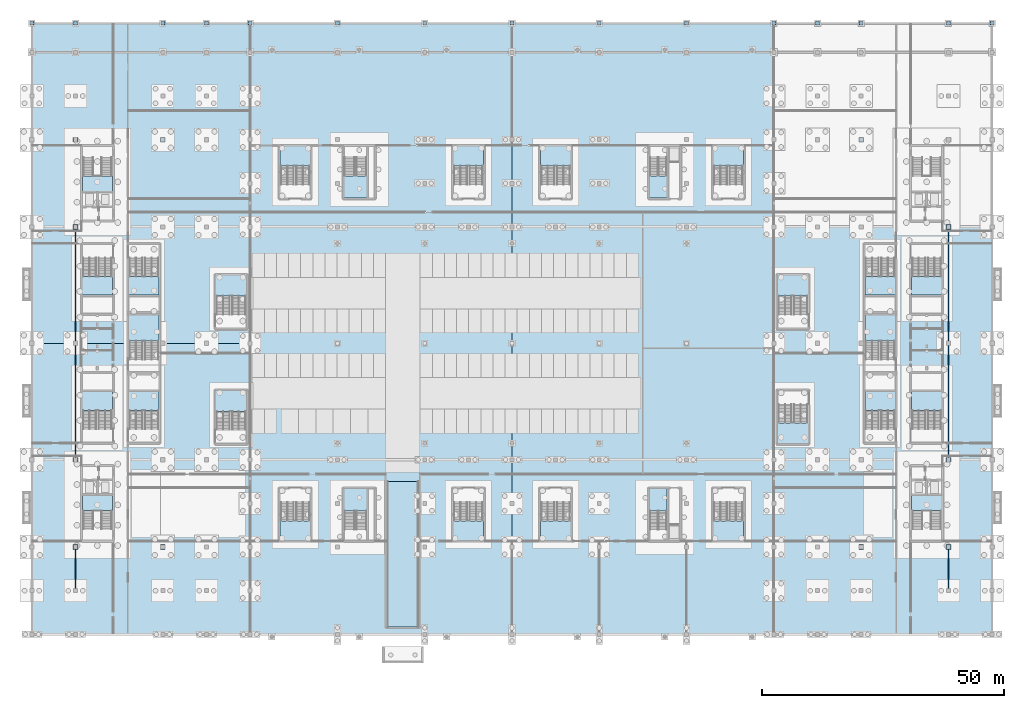
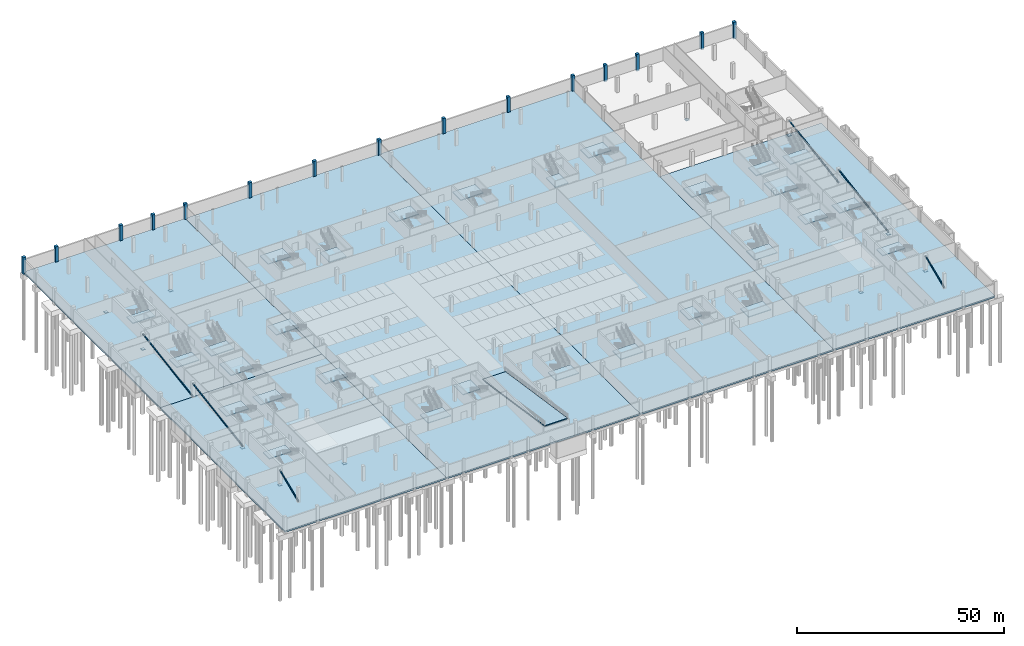
# One storey, part 12 of 46: 35 slabs, 15 columns, 11 plates, 6 members, 29 elements without a shape of their own.
"""IFC4 building model written with IfcOpenShell, lengths in metres."""

from ifc_helpers import new_model, si_unit, direction, frame, origin, origin_2d, place, context, subcontext, project, spatial, polyline, rectangle, hollow_rectangle, outline, extrude, material, layer, layer_set, material_profile, profile_set, type_object, element, aggregate, save


model = new_model("IFC4")

# Units and contexts
model_context = context("Model", 3, precision=1e-05, world=origin(), true_north=direction((0.0, 1.0)))
body_context = subcontext(model_context, "Body", "Model", "MODEL_VIEW")
ifc_project = project(units=[si_unit("LENGTHUNIT", "METRE"), si_unit("AREAUNIT", "SQUARE_METRE"), si_unit("VOLUMEUNIT", "CUBIC_METRE"), si_unit("PLANEANGLEUNIT", "RADIAN"), si_unit("MASSUNIT", "GRAM", prefix="KILO")], contexts=[model_context])

# Site, building, storey
site_placement = place(None, origin())
site = spatial("IfcSite", under=ifc_project, at=site_placement, CompositionType="ELEMENT")
building_placement = place(site_placement, origin())
building = spatial("IfcBuilding", under=site, at=building_placement, Name="Kisiwana Market Hall", CompositionType="ELEMENT")
storey_placement = place(building_placement, frame((0.0, 0.0, -4.5)))
storey = spatial("IfcBuildingStorey", under=building, at=storey_placement, Name="B1", CompositionType="ELEMENT", Elevation=-4.5)

# Columns
ifc_material_1 = material(Name="Concrete C40/50", Category="concrete")
ifc_material_profile_1 = material_profile(ifc_material_1, rectangle(XDim=0.800048828125, YDim=0.800048828125, at=origin_2d()), Name="RC 800x800")
ifc_profile_set_1 = profile_set([ifc_material_profile_1], Name="Concrete C40/50")
column_type = type_object("IfcColumnType", Name="COL-RC-B1-800", PredefinedType="COLUMN", material=ifc_profile_set_1)
for number, where, z_axis, x_axis, name in (
    (1, (0.0, 126.0, -0.449951171875), (0.0, 0.0, 1.0), (1.0, 0.0, 0.0), "Column R/1 (B1) C-0010"),
    (2, (9.0, 126.0, -0.449951171875), (0.0, 0.0, 1.0), (1.0, 0.0, 0.0), "Column R/2 (B1) C-0019"),
    (3, (27.0, 126.0, -0.449951171875), (0.0, 0.0, 1.0), (1.0, 0.0, 0.0), "Column R/4 (B1) C-0029"),
    (4, (36.0, 126.0, -0.449951171875), (0.0, 0.0, 1.0), (1.0, 0.0, 0.0), "Column R/5 (B1) C-0038"),
    (5, (45.0, 126.0, -0.449951171875), (0.0, 0.0, 1.0), (1.0, 0.0, 0.0), "Column R/6 (B1) C-0050"),
    (6, (63.0, 126.0, -0.449951171875), (0.0, 0.0, 1.0), (1.0, 0.0, 0.0), "Column R/8 (B1) C-0060"),
    (7, (81.0, 126.0, -0.449951171875), (0.0, 0.0, 1.0), (1.0, 0.0, 0.0), "Column R/10 (B1) C-0070"),
    (8, (99.0, 126.0, -0.449951171875), (0.0, 0.0, 1.0), (1.0, 0.0, 0.0), "Column R/12 (B1) C-0082"),
    (9, (117.0, 126.0, -0.449951171875), (0.0, 0.0, 1.0), (1.0, 0.0, 0.0), "Column R/14 (B1) C-0094"),
    (10, (135.0, 126.0, -0.449951171875), (0.0, 0.0, 1.0), (1.0, 0.0, 0.0), "Column R/16 (B1) C-0104"),
    (11, (153.0, 126.0, -0.449951171875), (0.0, 0.0, 1.0), (1.0, 0.0, 0.0), "Column R/18 (B1) C-0116"),
    (12, (162.0, 126.0, -0.449951171875), (0.0, 0.0, 1.0), (1.0, 0.0, 0.0), "Column R/19 (B1) C-0125"),
    (13, (171.0, 126.0, -0.449951171875), (0.0, 0.0, 1.0), (1.0, 0.0, 0.0), "Column R/20 (B1) C-0135"),
    (14, (189.0, 126.0, -0.449951171875), (0.0, 0.0, 1.0), (1.0, 0.0, 0.0), "Column R/22 (B1) C-0144"),
    (15, (198.0, 126.0, -0.449951171875), (0.0, 0.0, 1.0), (1.0, 0.0, 0.0), "Column R/23 (B1) C-0154"),
):
    element("IfcColumn", number, at=place(storey_placement, frame(where, z_axis=z_axis, x_axis=x_axis)), inside=storey, type_object=column_type, Name=name, PredefinedType="COLUMN", context=body_context, shape_type="SweptSolid", body=[
        extrude(rectangle(XDim=0.800048828125, YDim=0.800048828125, at=origin_2d()), origin(), (0.0, 0.0, 1.0), 4.949951171875),
    ])

# Members
ifc_material_2 = material(Name="Steel S355", Category="steel")
ifc_material_profile_2 = material_profile(ifc_material_2, hollow_rectangle(XDim=0.25, YDim=0.25, WallThickness=0.012451171875, at=origin_2d()), Name="SHS 250x250x12.5")
ifc_profile_set_2 = profile_set([ifc_material_profile_2], Name="Steel S355")
member_type = type_object("IfcMemberType", Name="MB-CBF-SHS250", PredefinedType="BRACE", material=ifc_profile_set_2)
member_1_placement = place(storey_placement, frame((9.0, 60.0, 0.14990234375), z_axis=(0.0, 0.987759380373, 0.155985276499), x_axis=(-1.0, 0.0, 0.0)))
element("IfcMember", 16, at=member_1_placement, inside=storey, type_object=member_type, Name="CBF-W-S diagonal brace (B1) M-0001", PredefinedType="BRACE", context=body_context, shape_type="SweptSolid", body=[
    extrude(hollow_rectangle(XDim=0.25, YDim=0.25, WallThickness=0.012451171875, at=origin_2d()), origin(), (0.0, 0.0, 1.0), 24.29736328125),
])
member_2_placement = place(storey_placement, frame((9.0, 9.0, 0.14990234375), z_axis=(0.0, 0.921614667614, 0.388106176759), x_axis=(-1.0, 0.0, 0.0)))
element("IfcMember", 17, at=member_2_placement, inside=storey, type_object=member_type, Name="CBF-W-N diagonal brace (B1) M-0002", PredefinedType="BRACE", context=body_context, shape_type="SweptSolid", body=[
    extrude(hollow_rectangle(XDim=0.25, YDim=0.25, WallThickness=0.012451171875, at=origin_2d()), origin(), (0.0, 0.0, 1.0), 9.765380859375),
])
member_3_placement = place(storey_placement, frame((189.0, 60.0, 0.14990234375), z_axis=(0.0, 0.987759380373, 0.155985276499), x_axis=(-1.0, 0.0, 0.0)))
element("IfcMember", 18, at=member_3_placement, inside=storey, type_object=member_type, Name="CBF-E-S diagonal brace (B1) M-0003", PredefinedType="BRACE", context=body_context, shape_type="SweptSolid", body=[
    extrude(hollow_rectangle(XDim=0.25, YDim=0.25, WallThickness=0.012451171875, at=origin_2d()), origin(), (0.0, 0.0, 1.0), 24.29736328125),
])
member_4_placement = place(storey_placement, frame((189.0, 9.0, 0.14990234375), z_axis=(0.0, 0.921614667614, 0.388106176759), x_axis=(-1.0, 0.0, 0.0)))
element("IfcMember", 19, at=member_4_placement, inside=storey, type_object=member_type, Name="CBF-E-N diagonal brace (B1) M-0004", PredefinedType="BRACE", context=body_context, shape_type="SweptSolid", body=[
    extrude(hollow_rectangle(XDim=0.25, YDim=0.25, WallThickness=0.012451171875, at=origin_2d()), origin(), (0.0, 0.0, 1.0), 9.765380859375),
])
for number, where, z_axis, x_axis, name in (
    (20, (9.0, 36.0, 0.14990234375), (0.0, 0.987759380373, 0.155985276499), (-1.0, 0.0, 0.0), "CBF-POD-W diagonal brace (B1) M-0005"),
    (21, (189.0, 36.0, 0.14990234375), (0.0, 0.987759380373, 0.155985276499), (-1.0, 0.0, 0.0), "CBF-POD-E diagonal brace (B1) M-0006"),
):
    element("IfcMember", number, at=place(storey_placement, frame(where, z_axis=z_axis, x_axis=x_axis)), inside=storey, type_object=member_type, Name=name, PredefinedType="BRACE", context=body_context, shape_type="SweptSolid", body=[
        extrude(hollow_rectangle(XDim=0.25, YDim=0.25, WallThickness=0.012451171875, at=origin_2d()), origin(), (0.0, 0.0, 1.0), 24.29736328125),
    ])

# Plates
ifc_material_3 = material(Name="Steel S355", Category="steel")
ifc_layer_1 = layer(ifc_material_3, 0.050048828125)
ifc_layer_set_1 = layer_set([ifc_layer_1], Name="PL-STR-BASE-50")
plate_type = type_object("IfcPlateType", Name="PL-STR-BASE-50", PredefinedType="SHEET", material=ifc_layer_set_1)
for number, where, z_axis, x_axis, name in (
    (22, (9.0, 18.0, -0.4501953125), (0.0, 0.0, 1.0), (1.0, 0.0, 0.0), "Structural column baseplate BP-01"),
    (23, (9.0, 36.0, -0.4501953125), (0.0, 0.0, 1.0), (1.0, 0.0, 0.0), "Structural column baseplate BP-02"),
    (24, (9.0, 84.0, -0.4501953125), (0.0, 0.0, 1.0), (1.0, 0.0, 0.0), "Structural column baseplate BP-03"),
    (25, (9.0, 102.0, -0.4501953125), (0.0, 0.0, 1.0), (1.0, 0.0, 0.0), "Structural column baseplate BP-04"),
    (26, (27.0, 18.0, -0.4501953125), (0.0, 0.0, 1.0), (1.0, 0.0, 0.0), "Structural column baseplate BP-05"),
    (27, (27.0, 102.0, -0.4501953125), (0.0, 0.0, 1.0), (1.0, 0.0, 0.0), "Structural column baseplate BP-06"),
    (28, (171.0, 18.0, -0.4501953125), (0.0, 0.0, 1.0), (1.0, 0.0, 0.0), "Structural column baseplate BP-07"),
    (29, (171.0, 102.0, -0.4501953125), (0.0, 0.0, 1.0), (1.0, 0.0, 0.0), "Structural column baseplate BP-08"),
    (30, (189.0, 18.0, -0.4501953125), (0.0, 0.0, 1.0), (1.0, 0.0, 0.0), "Structural column baseplate BP-09"),
    (31, (189.0, 36.0, -0.4501953125), (0.0, 0.0, 1.0), (1.0, 0.0, 0.0), "Structural column baseplate BP-10"),
    (32, (189.0, 84.0, -0.4501953125), (0.0, 0.0, 1.0), (1.0, 0.0, 0.0), "Structural column baseplate BP-11"),
):
    element("IfcPlate", number, at=place(storey_placement, frame(where, z_axis=z_axis, x_axis=x_axis)), inside=storey, type_object=plate_type, Name=name, PredefinedType="SHEET", context=body_context, shape_type="SweptSolid", body=[
        extrude(rectangle(XDim=0.949951171875, YDim=0.949951171875, at=origin_2d()), origin(), (0.0, 0.0, 1.0), 0.050048828125),
    ])

# Slabs
ifc_material_4 = material(Name="Concrete C32/40", Category="concrete")
ifc_layer_2 = layer(ifc_material_4, 0.449951171875)
ifc_layer_set_2 = layer_set([ifc_layer_2], Name="SL-BASE-450")
slab_type_1 = type_object("IfcSlabType", Name="SL-BASE-450", PredefinedType="BASESLAB", material=ifc_layer_set_2)
slab_1_placement = place(storey_placement, frame((0.0, 0.0, -0.449951171875)))
element("IfcSlab", 33, at=slab_1_placement, inside=storey, type_object=slab_type_1, Name="Structural slab S-001", PredefinedType="BASESLAB", context=body_context, shape_type="SweptSolid", body=[
    extrude(outline(polyline([(0.0, 0.0), (45.0, 0.0), (45.0, 60.0), (0.0, 60.0), (0.0, 0.0)])), origin(), (0.0, 0.0, 1.0), 0.449951171875),
])
slab_2_placement = place(storey_placement, frame((0.0, 0.0, -0.449951171875)))
element("IfcSlab", 34, at=slab_2_placement, inside=storey, type_object=slab_type_1, Name="Structural slab S-002", PredefinedType="BASESLAB", context=body_context, shape_type="SweptSolid", body=[
    extrude(outline(polyline([(0.0, 60.0), (45.0, 60.0), (45.0, 126.0), (0.0, 126.0), (0.0, 60.0)])), origin(), (0.0, 0.0, 1.0), 0.449951171875),
])
slab_3_placement = place(storey_placement, frame((0.0, 0.0, -0.449951171875)))
element("IfcSlab", 35, at=slab_3_placement, inside=storey, type_object=slab_type_1, Name="Structural slab S-003", PredefinedType="BASESLAB", context=body_context, shape_type="SweptSolid", body=[
    extrude(outline(polyline([(45.0, 0.0), (99.0, 0.0), (99.0, 126.0), (45.0, 126.0), (45.0, 0.0)])), origin(), (0.0, 0.0, 1.0), 0.449951171875),
])
slab_4_placement = place(storey_placement, frame((0.0, 0.0, -0.449951171875)))
element("IfcSlab", 36, at=slab_4_placement, inside=storey, type_object=slab_type_1, Name="Structural slab S-004", PredefinedType="BASESLAB", context=body_context, shape_type="SweptSolid", body=[
    extrude(outline(polyline([(99.0, 0.0), (153.0, 0.0), (153.0, 126.0), (99.0, 126.0), (99.0, 0.0)])), origin(), (0.0, 0.0, 1.0), 0.449951171875),
])
slab_5_placement = place(storey_placement, frame((0.0, 0.0, -0.449951171875)))
element("IfcSlab", 37, at=slab_5_placement, inside=storey, type_object=slab_type_1, Name="Structural slab S-005", PredefinedType="BASESLAB", context=body_context, shape_type="SweptSolid", body=[
    extrude(outline(polyline([(153.0, 0.0), (198.0, 0.0), (198.0, 84.0), (153.0, 84.0), (153.0, 0.0)])), origin(), (0.0, 0.0, 1.0), 0.449951171875),
])

# Stair, slab
ifc_material_5 = material(Name="Concrete C32/40", Category="concrete")
stair_type_1 = type_object("IfcStairType", Name="ST-POD-4500", PredefinedType="TWO_STRAIGHT_RUN_STAIR", material=ifc_material_5)
stair_1_placement = place(storey_placement, origin())
stair_1 = element("IfcStair", 38, at=stair_1_placement, inside=storey, type_object=stair_type_1, Name="Escape stair ST-W2-B1", PredefinedType="TWO_STRAIGHT_RUN_STAIR")
ifc_material_6 = material(Name="Concrete C32/40", Category="concrete")
ifc_layer_3 = layer(ifc_material_6, 0.239990234375)
ifc_layer_set_3 = layer_set([ifc_layer_3], Name="SL-LANDING-160")
slab_type_2 = type_object("IfcSlabType", Name="SL-LANDING-160", PredefinedType="LANDING", material=ifc_layer_set_3)
slab_6_placement = place(storey_placement, frame((0.0, 0.0, 2.010009765625)))
slab_6 = element("IfcSlab", 39, at=slab_6_placement, type_object=slab_type_2, Name="ST-W2-B1 landing 1 S-030", PredefinedType="LANDING", context=body_context, shape_type="SweptSolid", body=[
    extrude(outline(polyline([(10.405029296875, 25.509033203125), (16.594970703125, 25.509033203125), (16.594970703125, 28.64501953125), (10.405029296875, 28.64501953125), (10.405029296875, 25.509033203125)])), origin(), (0.0, 0.0, 1.0), 0.239990234375),
])
aggregate(stair_1, [slab_6])

stair_2_placement = place(storey_placement, origin())
stair_2 = element("IfcStair", 40, at=stair_2_placement, inside=storey, type_object=stair_type_1, Name="Escape stair ST-W1-B1", PredefinedType="TWO_STRAIGHT_RUN_STAIR")
slab_7_placement = place(storey_placement, frame((0.0, 0.0, 2.010009765625)))
slab_7 = element("IfcSlab", 41, at=slab_7_placement, type_object=slab_type_2, Name="ST-W1-B1 landing 1 S-028", PredefinedType="LANDING", context=body_context, shape_type="SweptSolid", body=[
    extrude(outline(polyline([(10.405029296875, 91.35498046875), (16.594970703125, 91.35498046875), (16.594970703125, 94.490966796875), (10.405029296875, 94.490966796875), (10.405029296875, 91.35498046875)])), origin(), (0.0, 0.0, 1.0), 0.239990234375),
])
aggregate(stair_2, [slab_7])

stair_3_placement = place(storey_placement, origin())
stair_3 = element("IfcStair", 42, at=stair_3_placement, inside=storey, type_object=stair_type_1, Name="Escape stair ST-E2-B1", PredefinedType="TWO_STRAIGHT_RUN_STAIR")
slab_8_placement = place(storey_placement, frame((0.0, 0.0, 2.010009765625)))
slab_8 = element("IfcSlab", 43, at=slab_8_placement, type_object=slab_type_2, Name="ST-E2-B1 landing 1 S-009", PredefinedType="LANDING", context=body_context, shape_type="SweptSolid", body=[
    extrude(outline(polyline([(181.3798828125, 25.48388671875), (187.6201171875, 25.48388671875), (187.6201171875, 28.6201171875), (181.3798828125, 28.6201171875), (181.3798828125, 25.48388671875)])), origin(), (0.0, 0.0, 1.0), 0.239990234375),
])
aggregate(stair_3, [slab_8])

stair_4_placement = place(storey_placement, origin())
stair_4 = element("IfcStair", 44, at=stair_4_placement, inside=storey, type_object=stair_type_1, Name="Escape stair ST-S1-B1", PredefinedType="TWO_STRAIGHT_RUN_STAIR")
slab_9_placement = place(storey_placement, frame((0.0, 0.0, 2.010009765625)))
slab_9 = element("IfcSlab", 45, at=slab_9_placement, type_object=slab_type_2, Name="ST-S1-B1 landing 1 S-022", PredefinedType="LANDING", context=body_context, shape_type="SweptSolid", body=[
    extrude(outline(polyline([(64.360107421875, 25.464111328125), (69.10009765625, 25.464111328125), (69.10009765625, 30.0400390625), (64.360107421875, 30.0400390625), (64.360107421875, 25.464111328125)])), origin(), (0.0, 0.0, 1.0), 0.239990234375),
])
aggregate(stair_4, [slab_9])

stair_5_placement = place(storey_placement, origin())
stair_5 = element("IfcStair", 46, at=stair_5_placement, inside=storey, type_object=stair_type_1, Name="Escape stair ST-S2-B1", PredefinedType="TWO_STRAIGHT_RUN_STAIR")
slab_10_placement = place(storey_placement, frame((0.0, 0.0, 2.010009765625)))
slab_10 = element("IfcSlab", 47, at=slab_10_placement, type_object=slab_type_2, Name="ST-S2-B1 landing 1 S-023", PredefinedType="LANDING", context=body_context, shape_type="SweptSolid", body=[
    extrude(outline(polyline([(127.360107421875, 25.464111328125), (131.0, 25.464111328125), (131.0, 30.0400390625), (127.360107421875, 30.0400390625), (127.360107421875, 25.464111328125)])), origin(), (0.0, 0.0, 1.0), 0.239990234375),
])
aggregate(stair_5, [slab_10])

stair_6_placement = place(storey_placement, origin())
stair_6 = element("IfcStair", 48, at=stair_6_placement, inside=storey, type_object=stair_type_1, Name="Escape stair ST-N1-B1", PredefinedType="TWO_STRAIGHT_RUN_STAIR")
slab_11_placement = place(storey_placement, frame((0.0, 0.0, 2.010009765625)))
slab_11 = element("IfcSlab", 49, at=slab_11_placement, type_object=slab_type_2, Name="ST-N1-B1 landing 1 S-016", PredefinedType="LANDING", context=body_context, shape_type="SweptSolid", body=[
    extrude(outline(polyline([(64.340087890625, 89.93994140625), (69.080078125, 89.93994140625), (69.080078125, 94.555908203125), (64.340087890625, 94.555908203125), (64.340087890625, 89.93994140625)])), origin(), (0.0, 0.0, 1.0), 0.239990234375),
])
aggregate(stair_6, [slab_11])

stair_7_placement = place(storey_placement, origin())
stair_7 = element("IfcStair", 50, at=stair_7_placement, inside=storey, type_object=stair_type_1, Name="Escape stair ST-N2-B1", PredefinedType="TWO_STRAIGHT_RUN_STAIR")
slab_12_placement = place(storey_placement, frame((0.0, 0.0, 2.010009765625)))
slab_12 = element("IfcSlab", 51, at=slab_12_placement, type_object=slab_type_2, Name="ST-N2-B1 landing 1 S-017", PredefinedType="LANDING", context=body_context, shape_type="SweptSolid", body=[
    extrude(outline(polyline([(127.340087890625, 89.93994140625), (130.97998046875, 89.93994140625), (130.97998046875, 94.555908203125), (127.340087890625, 94.555908203125), (127.340087890625, 89.93994140625)])), origin(), (0.0, 0.0, 1.0), 0.239990234375),
])
aggregate(stair_7, [slab_12])

ifc_material_7 = material(Name="Concrete C32/40", Category="concrete")
stair_type_2 = type_object("IfcStairType", Name="ST-ESC-4500", PredefinedType="TWO_STRAIGHT_RUN_STAIR", material=ifc_material_7)
stair_8_placement = place(storey_placement, origin())
stair_8 = element("IfcStair", 52, at=stair_8_placement, inside=storey, type_object=stair_type_2, Name="Escape stair ST-W3-B1", PredefinedType="TWO_STRAIGHT_RUN_STAIR")
slab_13_placement = place(storey_placement, frame((0.0, 0.0, 2.010009765625)))
slab_13 = element("IfcSlab", 53, at=slab_13_placement, type_object=slab_type_2, Name="ST-W3-B1 landing 1 S-031", PredefinedType="LANDING", context=body_context, shape_type="SweptSolid", body=[
    extrude(outline(polyline([(10.340087890625, 46.194580078125), (16.659912109375, 46.194580078125), (16.659912109375, 50.06005859375), (10.340087890625, 50.06005859375), (10.340087890625, 46.194580078125)])), origin(), (0.0, 0.0, 1.0), 0.239990234375),
])
aggregate(stair_8, [slab_13])

stair_9_placement = place(storey_placement, origin())
stair_9 = element("IfcStair", 54, at=stair_9_placement, inside=storey, type_object=stair_type_2, Name="Escape stair ST-W4-B1", PredefinedType="TWO_STRAIGHT_RUN_STAIR")
slab_14_placement = place(storey_placement, frame((0.0, 0.0, 2.010009765625)))
slab_14 = element("IfcSlab", 55, at=slab_14_placement, type_object=slab_type_2, Name="ST-W4-B1 landing 1 S-032", PredefinedType="LANDING", context=body_context, shape_type="SweptSolid", body=[
    extrude(outline(polyline([(10.340087890625, 69.93994140625), (16.659912109375, 69.93994140625), (16.659912109375, 73.805419921875), (10.340087890625, 73.805419921875), (10.340087890625, 69.93994140625)])), origin(), (0.0, 0.0, 1.0), 0.239990234375),
])
aggregate(stair_9, [slab_14])

stair_10_placement = place(storey_placement, origin())
stair_10 = element("IfcStair", 56, at=stair_10_placement, inside=storey, type_object=stair_type_2, Name="Escape stair ST-E3-B1", PredefinedType="TWO_STRAIGHT_RUN_STAIR")
slab_15_placement = place(storey_placement, frame((0.0, 0.0, 2.010009765625)))
slab_15 = element("IfcSlab", 57, at=slab_15_placement, type_object=slab_type_2, Name="ST-E3-B1 landing 1 S-010", PredefinedType="LANDING", context=body_context, shape_type="SweptSolid", body=[
    extrude(outline(polyline([(181.340087890625, 46.194580078125), (187.659912109375, 46.194580078125), (187.659912109375, 50.06005859375), (181.340087890625, 50.06005859375), (181.340087890625, 46.194580078125)])), origin(), (0.0, 0.0, 1.0), 0.239990234375),
])
aggregate(stair_10, [slab_15])

stair_11_placement = place(storey_placement, origin())
stair_11 = element("IfcStair", 58, at=stair_11_placement, inside=storey, type_object=stair_type_2, Name="Escape stair ST-E4-B1", PredefinedType="TWO_STRAIGHT_RUN_STAIR")
slab_16_placement = place(storey_placement, frame((0.0, 0.0, 2.010009765625)))
slab_16 = element("IfcSlab", 59, at=slab_16_placement, type_object=slab_type_2, Name="ST-E4-B1 landing 1 S-011", PredefinedType="LANDING", context=body_context, shape_type="SweptSolid", body=[
    extrude(outline(polyline([(181.340087890625, 69.93994140625), (187.659912109375, 69.93994140625), (187.659912109375, 73.805419921875), (181.340087890625, 73.805419921875), (181.340087890625, 69.93994140625)])), origin(), (0.0, 0.0, 1.0), 0.239990234375),
])
aggregate(stair_11, [slab_16])

stair_12_placement = place(storey_placement, origin())
stair_12 = element("IfcStair", 60, at=stair_12_placement, inside=storey, type_object=stair_type_2, Name="Escape stair ST-W7-B1", PredefinedType="TWO_STRAIGHT_RUN_STAIR")
slab_17_placement = place(storey_placement, frame((0.0, 0.0, 2.010009765625)))
slab_17 = element("IfcSlab", 61, at=slab_17_placement, type_object=slab_type_2, Name="ST-W7-B1 landing 1 S-034", PredefinedType="LANDING", context=body_context, shape_type="SweptSolid", body=[
    extrude(outline(polyline([(19.93994140625, 46.194580078125), (26.260009765625, 46.194580078125), (26.260009765625, 50.06005859375), (19.93994140625, 50.06005859375), (19.93994140625, 46.194580078125)])), origin(), (0.0, 0.0, 1.0), 0.239990234375),
])
aggregate(stair_12, [slab_17])

stair_13_placement = place(storey_placement, origin())
stair_13 = element("IfcStair", 62, at=stair_13_placement, inside=storey, type_object=stair_type_2, Name="Escape stair ST-E7-B1", PredefinedType="TWO_STRAIGHT_RUN_STAIR")
slab_18_placement = place(storey_placement, frame((0.0, 0.0, 2.010009765625)))
slab_18 = element("IfcSlab", 63, at=slab_18_placement, type_object=slab_type_2, Name="ST-E7-B1 landing 1 S-013", PredefinedType="LANDING", context=body_context, shape_type="SweptSolid", body=[
    extrude(outline(polyline([(171.739990234375, 46.194580078125), (178.06005859375, 46.194580078125), (178.06005859375, 50.06005859375), (171.739990234375, 50.06005859375), (171.739990234375, 46.194580078125)])), origin(), (0.0, 0.0, 1.0), 0.239990234375),
])
aggregate(stair_13, [slab_18])

stair_14_placement = place(storey_placement, origin())
stair_14 = element("IfcStair", 64, at=stair_14_placement, inside=storey, type_object=stair_type_2, Name="Escape stair ST-W8-B1", PredefinedType="TWO_STRAIGHT_RUN_STAIR")
slab_19_placement = place(storey_placement, frame((0.0, 0.0, 2.010009765625)))
slab_19 = element("IfcSlab", 65, at=slab_19_placement, type_object=slab_type_2, Name="ST-W8-B1 landing 1 S-035", PredefinedType="LANDING", context=body_context, shape_type="SweptSolid", body=[
    extrude(outline(polyline([(19.93994140625, 69.93994140625), (26.260009765625, 69.93994140625), (26.260009765625, 73.805419921875), (19.93994140625, 73.805419921875), (19.93994140625, 69.93994140625)])), origin(), (0.0, 0.0, 1.0), 0.239990234375),
])
aggregate(stair_14, [slab_19])

stair_15_placement = place(storey_placement, origin())
stair_15 = element("IfcStair", 66, at=stair_15_placement, inside=storey, type_object=stair_type_2, Name="Escape stair ST-E8-B1", PredefinedType="TWO_STRAIGHT_RUN_STAIR")
slab_20_placement = place(storey_placement, frame((0.0, 0.0, 2.010009765625)))
slab_20 = element("IfcSlab", 67, at=slab_20_placement, type_object=slab_type_2, Name="ST-E8-B1 landing 1 S-014", PredefinedType="LANDING", context=body_context, shape_type="SweptSolid", body=[
    extrude(outline(polyline([(171.739990234375, 69.93994140625), (178.06005859375, 69.93994140625), (178.06005859375, 73.805419921875), (171.739990234375, 73.805419921875), (171.739990234375, 69.93994140625)])), origin(), (0.0, 0.0, 1.0), 0.239990234375),
])
aggregate(stair_15, [slab_20])

stair_16_placement = place(storey_placement, origin())
stair_16 = element("IfcStair", 68, at=stair_16_placement, inside=storey, type_object=stair_type_2, Name="Escape stair ST-W9-B1", PredefinedType="TWO_STRAIGHT_RUN_STAIR")
slab_21_placement = place(storey_placement, frame((0.0, 0.0, 2.010009765625)))
slab_21 = element("IfcSlab", 69, at=slab_21_placement, type_object=slab_type_2, Name="ST-W9-B1 landing 1 S-036", PredefinedType="LANDING", context=body_context, shape_type="SweptSolid", body=[
    extrude(outline(polyline([(37.909912109375, 45.994384765625), (44.22998046875, 45.994384765625), (44.22998046875, 50.260009765625), (37.909912109375, 50.260009765625), (37.909912109375, 45.994384765625)])), origin(), (0.0, 0.0, 1.0), 0.239990234375),
])
aggregate(stair_16, [slab_21])

stair_17_placement = place(storey_placement, origin())
stair_17 = element("IfcStair", 70, at=stair_17_placement, inside=storey, type_object=stair_type_2, Name="Escape stair ST-E9-B1", PredefinedType="TWO_STRAIGHT_RUN_STAIR")
slab_22_placement = place(storey_placement, frame((0.0, 0.0, 2.010009765625)))
slab_22 = element("IfcSlab", 71, at=slab_22_placement, type_object=slab_type_2, Name="ST-E9-B1 landing 1 S-015", PredefinedType="LANDING", context=body_context, shape_type="SweptSolid", body=[
    extrude(outline(polyline([(153.77001953125, 39.340087890625), (160.090087890625, 39.340087890625), (160.090087890625, 43.60546875), (153.77001953125, 43.60546875), (153.77001953125, 39.340087890625)])), origin(), (0.0, 0.0, 1.0), 0.239990234375),
])
aggregate(stair_17, [slab_22])

stair_18_placement = place(storey_placement, origin())
stair_18 = element("IfcStair", 72, at=stair_18_placement, inside=storey, type_object=stair_type_2, Name="Escape stair ST-W10-B1", PredefinedType="TWO_STRAIGHT_RUN_STAIR")
slab_23_placement = place(storey_placement, frame((0.0, 0.0, 2.010009765625)))
slab_23 = element("IfcSlab", 73, at=slab_23_placement, type_object=slab_type_2, Name="ST-W10-B1 landing 1 S-029", PredefinedType="LANDING", context=body_context, shape_type="SweptSolid", body=[
    extrude(outline(polyline([(37.909912109375, 69.79443359375), (44.22998046875, 69.79443359375), (44.22998046875, 74.06005859375), (37.909912109375, 74.06005859375), (37.909912109375, 69.79443359375)])), origin(), (0.0, 0.0, 1.0), 0.239990234375),
])
aggregate(stair_18, [slab_23])

stair_19_placement = place(storey_placement, origin())
stair_19 = element("IfcStair", 74, at=stair_19_placement, inside=storey, type_object=stair_type_2, Name="Escape stair ST-E10-B1", PredefinedType="TWO_STRAIGHT_RUN_STAIR")
slab_24_placement = place(storey_placement, frame((0.0, 0.0, 2.010009765625)))
slab_24 = element("IfcSlab", 75, at=slab_24_placement, type_object=slab_type_2, Name="ST-E10-B1 landing 1 S-008", PredefinedType="LANDING", context=body_context, shape_type="SweptSolid", body=[
    extrude(outline(polyline([(153.77001953125, 69.79443359375), (160.090087890625, 69.79443359375), (160.090087890625, 74.06005859375), (153.77001953125, 74.06005859375), (153.77001953125, 69.79443359375)])), origin(), (0.0, 0.0, 1.0), 0.239990234375),
])
aggregate(stair_19, [slab_24])

stair_20_placement = place(storey_placement, origin())
stair_20 = element("IfcStair", 76, at=stair_20_placement, inside=storey, type_object=stair_type_2, Name="Escape stair ST-W5-B1", PredefinedType="TWO_STRAIGHT_RUN_STAIR")
slab_25_placement = place(storey_placement, frame((0.0, 0.0, 2.010009765625)))
slab_25 = element("IfcSlab", 77, at=slab_25_placement, type_object=slab_type_2, Name="ST-W5-B1 landing 1 S-033", PredefinedType="LANDING", context=body_context, shape_type="SweptSolid", body=[
    extrude(outline(polyline([(19.93994140625, 60.474609375), (26.260009765625, 60.474609375), (26.260009765625, 66.179931640625), (19.93994140625, 66.179931640625), (19.93994140625, 60.474609375)])), origin(), (0.0, 0.0, 1.0), 0.239990234375),
])
aggregate(stair_20, [slab_25])

stair_21_placement = place(storey_placement, origin())
stair_21 = element("IfcStair", 78, at=stair_21_placement, inside=storey, type_object=stair_type_2, Name="Escape stair ST-E5-B1", PredefinedType="TWO_STRAIGHT_RUN_STAIR")
slab_26_placement = place(storey_placement, frame((0.0, 0.0, 2.010009765625)))
slab_26 = element("IfcSlab", 79, at=slab_26_placement, type_object=slab_type_2, Name="ST-E5-B1 landing 1 S-012", PredefinedType="LANDING", context=body_context, shape_type="SweptSolid", body=[
    extrude(outline(polyline([(171.739990234375, 60.474609375), (178.06005859375, 60.474609375), (178.06005859375, 66.179931640625), (171.739990234375, 66.179931640625), (171.739990234375, 60.474609375)])), origin(), (0.0, 0.0, 1.0), 0.239990234375),
])
aggregate(stair_21, [slab_26])

stair_22_placement = place(storey_placement, origin())
stair_22 = element("IfcStair", 80, at=stair_22_placement, inside=storey, type_object=stair_type_2, Name="Escape stair ST-S3-B1", PredefinedType="TWO_STRAIGHT_RUN_STAIR")
slab_27_placement = place(storey_placement, frame((0.0, 0.0, 2.010009765625)))
slab_27 = element("IfcSlab", 81, at=slab_27_placement, type_object=slab_type_2, Name="ST-S3-B1 landing 1 S-024", PredefinedType="LANDING", context=body_context, shape_type="SweptSolid", body=[
    extrude(outline(polyline([(51.139892578125, 19.340087890625), (57.4599609375, 19.340087890625), (57.4599609375, 23.405517578125), (51.139892578125, 23.405517578125), (51.139892578125, 19.340087890625)])), origin(), (0.0, 0.0, 1.0), 0.239990234375),
])
aggregate(stair_22, [slab_27])

stair_23_placement = place(storey_placement, origin())
stair_23 = element("IfcStair", 82, at=stair_23_placement, inside=storey, type_object=stair_type_2, Name="Escape stair ST-N3-B1", PredefinedType="TWO_STRAIGHT_RUN_STAIR")
slab_28_placement = place(storey_placement, frame((0.0, 0.0, 2.010009765625)))
slab_28 = element("IfcSlab", 83, at=slab_28_placement, type_object=slab_type_2, Name="ST-N3-B1 landing 1 S-018", PredefinedType="LANDING", context=body_context, shape_type="SweptSolid", body=[
    extrude(outline(polyline([(51.139892578125, 96.594482421875), (57.4599609375, 96.594482421875), (57.4599609375, 100.659912109375), (51.139892578125, 100.659912109375), (51.139892578125, 96.594482421875)])), origin(), (0.0, 0.0, 1.0), 0.239990234375),
])
aggregate(stair_23, [slab_28])

stair_24_placement = place(storey_placement, origin())
stair_24 = element("IfcStair", 84, at=stair_24_placement, inside=storey, type_object=stair_type_2, Name="Escape stair ST-S4-B1", PredefinedType="TWO_STRAIGHT_RUN_STAIR")
slab_29_placement = place(storey_placement, frame((0.0, 0.0, 2.010009765625)))
slab_29 = element("IfcSlab", 85, at=slab_29_placement, type_object=slab_type_2, Name="ST-S4-B1 landing 1 S-025", PredefinedType="LANDING", context=body_context, shape_type="SweptSolid", body=[
    extrude(outline(polyline([(86.840087890625, 19.340087890625), (93.159912109375, 19.340087890625), (93.159912109375, 23.405517578125), (86.840087890625, 23.405517578125), (86.840087890625, 19.340087890625)])), origin(), (0.0, 0.0, 1.0), 0.239990234375),
])
aggregate(stair_24, [slab_29])

stair_25_placement = place(storey_placement, origin())
stair_25 = element("IfcStair", 86, at=stair_25_placement, inside=storey, type_object=stair_type_2, Name="Escape stair ST-N4-B1", PredefinedType="TWO_STRAIGHT_RUN_STAIR")
slab_30_placement = place(storey_placement, frame((0.0, 0.0, 2.010009765625)))
slab_30 = element("IfcSlab", 87, at=slab_30_placement, type_object=slab_type_2, Name="ST-N4-B1 landing 1 S-019", PredefinedType="LANDING", context=body_context, shape_type="SweptSolid", body=[
    extrude(outline(polyline([(86.840087890625, 96.594482421875), (93.159912109375, 96.594482421875), (93.159912109375, 100.659912109375), (86.840087890625, 100.659912109375), (86.840087890625, 96.594482421875)])), origin(), (0.0, 0.0, 1.0), 0.239990234375),
])
aggregate(stair_25, [slab_30])

stair_26_placement = place(storey_placement, origin())
stair_26 = element("IfcStair", 88, at=stair_26_placement, inside=storey, type_object=stair_type_2, Name="Escape stair ST-S5-B1", PredefinedType="TWO_STRAIGHT_RUN_STAIR")
slab_31_placement = place(storey_placement, frame((0.0, 0.0, 2.010009765625)))
slab_31 = element("IfcSlab", 89, at=slab_31_placement, type_object=slab_type_2, Name="ST-S5-B1 landing 1 S-026", PredefinedType="LANDING", context=body_context, shape_type="SweptSolid", body=[
    extrude(outline(polyline([(104.840087890625, 19.340087890625), (111.159912109375, 19.340087890625), (111.159912109375, 23.405517578125), (104.840087890625, 23.405517578125), (104.840087890625, 19.340087890625)])), origin(), (0.0, 0.0, 1.0), 0.239990234375),
])
aggregate(stair_26, [slab_31])

stair_27_placement = place(storey_placement, origin())
stair_27 = element("IfcStair", 90, at=stair_27_placement, inside=storey, type_object=stair_type_2, Name="Escape stair ST-N5-B1", PredefinedType="TWO_STRAIGHT_RUN_STAIR")
slab_32_placement = place(storey_placement, frame((0.0, 0.0, 2.010009765625)))
slab_32 = element("IfcSlab", 91, at=slab_32_placement, type_object=slab_type_2, Name="ST-N5-B1 landing 1 S-020", PredefinedType="LANDING", context=body_context, shape_type="SweptSolid", body=[
    extrude(outline(polyline([(104.840087890625, 96.594482421875), (111.159912109375, 96.594482421875), (111.159912109375, 100.659912109375), (104.840087890625, 100.659912109375), (104.840087890625, 96.594482421875)])), origin(), (0.0, 0.0, 1.0), 0.239990234375),
])
aggregate(stair_27, [slab_32])

stair_28_placement = place(storey_placement, origin())
stair_28 = element("IfcStair", 92, at=stair_28_placement, inside=storey, type_object=stair_type_2, Name="Escape stair ST-S6-B1", PredefinedType="TWO_STRAIGHT_RUN_STAIR")
slab_33_placement = place(storey_placement, frame((0.0, 0.0, 2.010009765625)))
slab_33 = element("IfcSlab", 93, at=slab_33_placement, type_object=slab_type_2, Name="ST-S6-B1 landing 1 S-027", PredefinedType="LANDING", context=body_context, shape_type="SweptSolid", body=[
    extrude(outline(polyline([(140.43994140625, 19.340087890625), (146.760009765625, 19.340087890625), (146.760009765625, 23.405517578125), (140.43994140625, 23.405517578125), (140.43994140625, 19.340087890625)])), origin(), (0.0, 0.0, 1.0), 0.239990234375),
])
aggregate(stair_28, [slab_33])

stair_29_placement = place(storey_placement, origin())
stair_29 = element("IfcStair", 94, at=stair_29_placement, inside=storey, type_object=stair_type_2, Name="Escape stair ST-N6-B1", PredefinedType="TWO_STRAIGHT_RUN_STAIR")
slab_34_placement = place(storey_placement, frame((0.0, 0.0, 2.010009765625)))
slab_34 = element("IfcSlab", 95, at=slab_34_placement, type_object=slab_type_2, Name="ST-N6-B1 landing 1 S-021", PredefinedType="LANDING", context=body_context, shape_type="SweptSolid", body=[
    extrude(outline(polyline([(140.43994140625, 96.594482421875), (146.760009765625, 96.594482421875), (146.760009765625, 100.659912109375), (140.43994140625, 100.659912109375), (140.43994140625, 96.594482421875)])), origin(), (0.0, 0.0, 1.0), 0.239990234375),
])
aggregate(stair_29, [slab_34])

# Slab
ifc_material_8 = material(Name="Concrete C32/40", Category="concrete")
slab_type_3 = type_object("IfcSlabType", Name="SL-RAMP-VEH-300", PredefinedType="FLOOR", material=ifc_material_8)
slab_35_placement = place(storey_placement, frame((76.5, 31.5, 0.0), z_axis=(0.0, 0.0, 1.0), x_axis=(0.0, -1.0, 0.0)))
element("IfcSlab", 96, at=slab_35_placement, inside=storey, type_object=slab_type_3, Name="Two-Way Vehicle Ramp Waist Slab RP-004", PredefinedType="FLOOR", context=body_context, shape_type="SweptSolid", body=[
    extrude(outline(polyline([(0.0, -0.300048828125), (30.0, 4.199951171875), (30.0, 4.5), (0.0, 0.0), (0.0, -0.300048828125)])), frame((0.0, 3.199951171875, 0.0), z_axis=(0.0, -1.0, 0.0), x_axis=(1.0, 0.0, 0.0)), (0.0, 0.0, 1.0), 6.39990234375),
])

save(model, "model.ifc")
